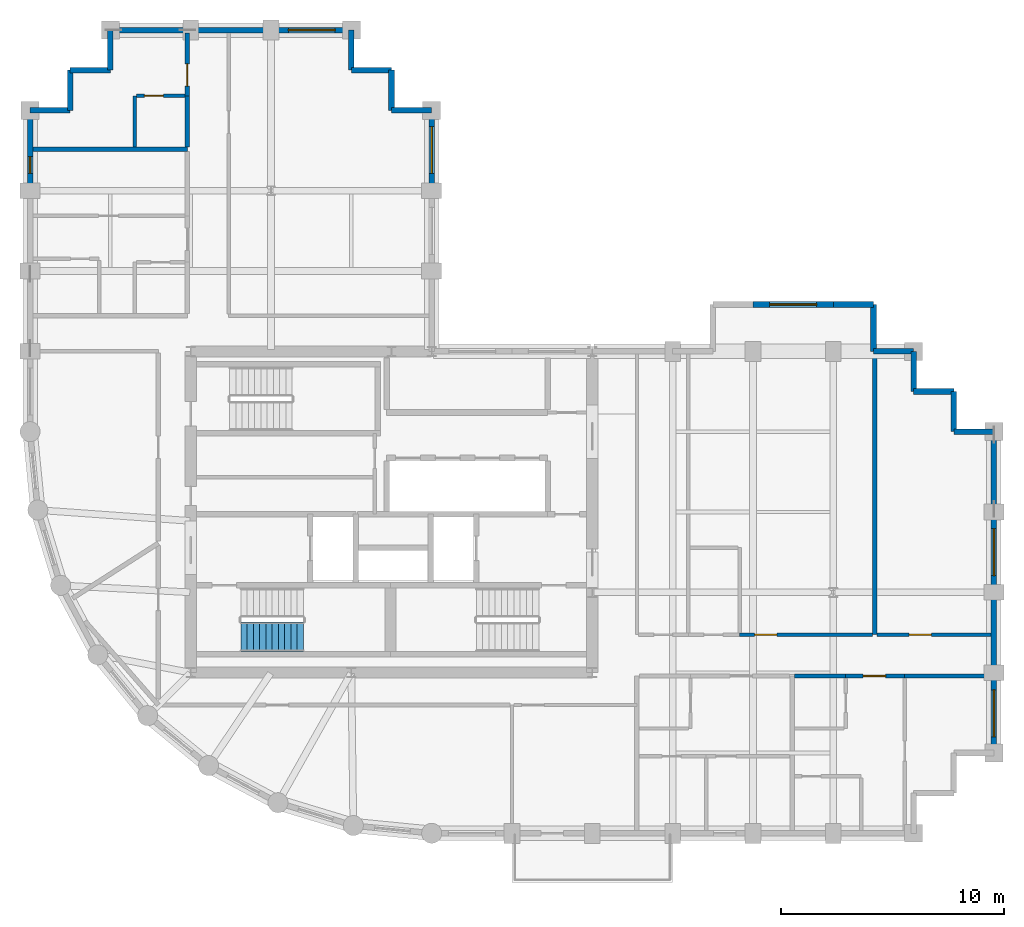
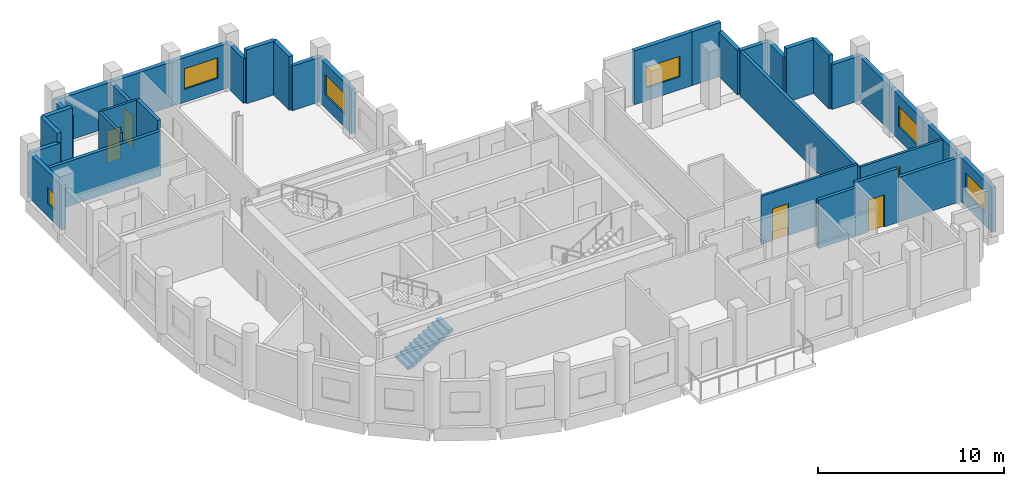
# One storey, part 6 of 8: 36 walls, 6 windows, 5 doors, 1 stair flight, 11 openings, 1 element without a shape of its own.
"""IFC4 building model written with IfcOpenShell, lengths in metres."""

from ifc_helpers import new_model, si_unit, direction, frame, frame_2d, origin, place, context, subcontext, project, spatial, polyline, rectangle, outline, extrude, material, layer, layer_set, type_object, element, fill, aggregate, save


model = new_model("IFC4")

# Units and contexts
model_context = context("Model", 3, precision=1e-05, world=origin(), true_north=direction((0.0, 1.0)))
body_context = subcontext(model_context, "Body", "Model", "MODEL_VIEW")
ifc_project = project(units=[si_unit("LENGTHUNIT", "METRE"), si_unit("AREAUNIT", "SQUARE_METRE"), si_unit("VOLUMEUNIT", "CUBIC_METRE"), si_unit("PLANEANGLEUNIT", "RADIAN"), si_unit("MASSUNIT", "GRAM", prefix="KILO")], contexts=[model_context])

# Site, building, storey
site_placement = place(None, origin())
site = spatial("IfcSite", under=ifc_project, at=site_placement, CompositionType="ELEMENT")
building_placement = place(site_placement, origin())
building = spatial("IfcBuilding", under=site, at=building_placement, Name="Solnavia Interchange Tower", CompositionType="ELEMENT")
storey_placement = place(building_placement, frame((0.0, 0.0, 178.60009765625)))
storey = spatial("IfcBuildingStorey", under=building, at=storey_placement, Name="L44", CompositionType="ELEMENT", Elevation=178.60009765625)

# Wall
ifc_material_1 = material(Name="Gypsum Acoustic Twin-Stud & Mineral Wool", Category="gypsum")
ifc_layer_1 = layer(ifc_material_1, 0.199951171875)
ifc_layer_set_1 = layer_set([ifc_layer_1], Name="Gypsum Acoustic Twin-Stud & Mineral Wool")
wall_type_1 = type_object("IfcWallType", Name="Wall-ApartmentParty-200", PredefinedType="PARTITIONING", material=ifc_layer_set_1)
wall_1_placement = place(storey_placement, frame((41.4541015625, 10.64990234375, 0.0), z_axis=(0.0, 0.0, 1.0), x_axis=(1.0, 0.0, 0.0)))
element("IfcWall", 1, at=wall_1_placement, inside=storey, type_object=wall_type_1, Name="PTW-L44-24 Interior partition wall", PredefinedType="PARTITIONING", context=body_context, shape_type="SweptSolid", body=[
    extrude(rectangle(XDim=2.2958984375, YDim=0.199951171875, at=frame_2d((1.14794921875, 0.0))), origin(), (0.0, 0.0, 1.0), 3.169921875),
])

# Wall, opening, door
wall_2_placement = place(storey_placement, frame((43.75, 10.64990234375, 0.0), z_axis=(0.0, 0.0, 1.0), x_axis=(1.0, 0.0, 0.0)))
wall_2 = element("IfcWall", 2, at=wall_2_placement, inside=storey, type_object=wall_type_1, Name="PTW-L44-27 Interior partition wall", PredefinedType="PARTITIONING", context=body_context, shape_type="SweptSolid", body=[
    extrude(rectangle(XDim=2.64990234375, YDim=0.199951171875, at=frame_2d((1.324951171875, 0.0))), origin(), (0.0, 0.0, 1.0), 3.534912109375),
])
opening_1_placement = place(wall_2_placement, frame((0.7890625, 0.0, 0.0)))
opening_1 = element("IfcOpeningElement", 3, at=opening_1_placement, cuts=wall_2, Name="Opening DR-06", PredefinedType="OPENING", context=body_context, shape_type="SweptSolid", body=[
    extrude(rectangle(XDim=1.0, YDim=2.10009765625, at=frame_2d((0.5, 1.050048828125))), frame((0.0, 0.10986328125, 0.0), z_axis=(0.0, -1.0, 0.0), x_axis=(1.0, 0.0, 0.0)), (0.0, 0.0, 1.0), 0.219970703125),
])
ifc_material_2 = material(Name="Engineered Timber Acoustic Fire Door", Category="wood")
door_type_1 = type_object("IfcDoorType", Name="Door-FlatEntry-1000x2100", OperationType="SINGLE_SWING_LEFT", PredefinedType="DOOR", material=ifc_material_2)
door_1_placement = place(opening_1_placement, origin())
door_1 = element("IfcDoor", 4, at=door_1_placement, inside=storey, type_object=door_type_1, Name="DR-L44-12 Interior room door", OperationType="SINGLE_SWING_LEFT", OverallHeight=2.10009765625, OverallWidth=1.0, PredefinedType="DOOR", context=body_context, shape_type="SweptSolid", body=[
    extrude(rectangle(XDim=1.0, YDim=2.10009765625, at=frame_2d((0.5, 1.050048828125))), frame((0.0, 0.02490234375, 0.0), z_axis=(0.0, -1.0, 0.0), x_axis=(1.0, 0.0, 0.0)), (0.0, 0.0, 1.0), 0.050048828125),
])
fill(opening_1, door_1)

# Walls
wall_3_placement = place(storey_placement, frame((46.39990234375, 10.64990234375, 0.0), z_axis=(0.0, 0.0, 1.0), x_axis=(1.0, 0.0, 0.0)))
element("IfcWall", 5, at=wall_3_placement, inside=storey, type_object=wall_type_1, Name="PTW-L44-28 Interior partition wall", PredefinedType="PARTITIONING", context=body_context, shape_type="SweptSolid", body=[
    extrude(rectangle(XDim=3.87109375, YDim=0.199951171875, at=frame_2d((1.935546875, 0.0))), origin(), (0.0, 0.0, 1.0), 2.929931640625),
])
wall_4_placement = place(storey_placement, frame((45.050048828125, 12.5, 0.0), z_axis=(0.0, 0.0, 1.0), x_axis=(0.0, 1.0, 0.0)))
element("IfcWall", 6, at=wall_4_placement, inside=storey, type_object=wall_type_1, Name="PTW-L44-32 Interior partition wall", PredefinedType="PARTITIONING", context=body_context, shape_type="SweptSolid", body=[
    extrude(rectangle(XDim=12.571044921875, YDim=0.199951171875, at=frame_2d((6.28564453125, 0.0))), origin(), (0.0, 0.0, 1.0), 2.929931640625),
])
wall_5_placement = place(storey_placement, frame((7.3291015625, 34.25, 0.0), z_axis=(0.0, 0.0, 1.0), x_axis=(1.0, 0.0, 0.0)))
element("IfcWall", 7, at=wall_5_placement, inside=storey, type_object=wall_type_1, Name="PTW-L44-36 Interior partition wall", PredefinedType="PARTITIONING", context=body_context, shape_type="SweptSolid", body=[
    extrude(rectangle(XDim=6.9208984375, YDim=0.199951171875, at=frame_2d((3.46044921875, 0.0))), origin(), (0.0, 0.0, 1.0), 2.929931640625),
])
wall_6_placement = place(storey_placement, frame((14.25, 34.35400390625, 0.0), z_axis=(0.0, 0.0, 1.0), x_axis=(0.0, 1.0, 0.0)))
element("IfcWall", 8, at=wall_6_placement, inside=storey, type_object=wall_type_1, Name="PTW-L44-45 Interior partition wall", PredefinedType="PARTITIONING", context=body_context, shape_type="SweptSolid", body=[
    extrude(rectangle(XDim=2.2958984375, YDim=0.199951171875, at=frame_2d((1.14794921875, 0.0))), origin(), (0.0, 0.0, 1.0), 3.534912109375),
])

# Wall, opening, door
wall_7_placement = place(storey_placement, frame((14.25, 36.64990234375, 0.0), z_axis=(0.0, 0.0, 1.0), x_axis=(0.0, 1.0, 0.0)))
wall_7 = element("IfcWall", 9, at=wall_7_placement, inside=storey, type_object=wall_type_1, Name="PTW-L44-48 Interior partition wall", PredefinedType="PARTITIONING", context=body_context, shape_type="SweptSolid", body=[
    extrude(rectangle(XDim=2.821044921875, YDim=0.199951171875, at=frame_2d((1.41064453125, 0.0))), origin(), (0.0, 0.0, 1.0), 2.929931640625),
])
opening_2_placement = place(wall_7_placement, frame((0.43701171875, 0.0, 0.0)))
opening_2 = element("IfcOpeningElement", 10, at=opening_2_placement, cuts=wall_7, Name="Opening DR-06", PredefinedType="OPENING", context=body_context, shape_type="SweptSolid", body=[
    extrude(rectangle(XDim=1.0, YDim=2.10009765625, at=frame_2d((0.5, 1.050048828125))), frame((0.0, 0.10986328125, 0.0), z_axis=(0.0, -1.0, 0.0), x_axis=(1.0, 0.0, 0.0)), (0.0, 0.0, 1.0), 0.219970703125),
])
door_2_placement = place(opening_2_placement, origin())
door_2 = element("IfcDoor", 11, at=door_2_placement, inside=storey, type_object=door_type_1, Name="DR-L44-22 Interior room door", OperationType="SINGLE_SWING_RIGHT", OverallHeight=2.10009765625, OverallWidth=1.0, PredefinedType="DOOR", context=body_context, shape_type="SweptSolid", body=[
    extrude(rectangle(XDim=1.0, YDim=2.10009765625, at=frame_2d((0.5, 1.050048828125))), frame((0.0, 0.02490234375, 0.0), z_axis=(0.0, -1.0, 0.0), x_axis=(1.0, 0.0, 0.0)), (0.0, 0.0, 1.0), 0.050048828125),
])
fill(opening_2, door_2)

# Wall, opening, window
ifc_material_3 = material(Name="Concrete C40/50", Category="concrete")
ifc_layer_2 = layer(ifc_material_3, 0.25)
ifc_layer_set_2 = layer_set([ifc_layer_2], Name="Concrete C40/50")
wall_type_2 = type_object("IfcWallType", Name="Wall-ExtSpandrel-250", PredefinedType="STANDARD", material=ifc_layer_set_2)
wall_8_placement = place(storey_placement, frame((50.39990234375, 10.800048828125, 0.0), z_axis=(0.0, 0.0, 1.0), x_axis=(0.0, -1.0, 0.0)))
wall_8 = element("IfcWall", 12, at=wall_8_placement, inside=storey, type_object=wall_type_2, Name="EXW-L44-11 Exterior precast spandrel wall", PredefinedType="STANDARD", context=body_context, shape_type="SweptSolid", body=[
    extrude(rectangle(XDim=3.60009765625, YDim=0.25, at=frame_2d((1.800048828125, 0.0))), origin(), (0.0, 0.0, 1.0), 2.929931640625),
])
opening_3_placement = place(wall_8_placement, frame((0.77490234375, 0.0, 0.85009765625)))
opening_3 = element("IfcOpeningElement", 13, at=opening_3_placement, cuts=wall_8, Name="Opening WIN-01", PredefinedType="OPENING", context=body_context, shape_type="SweptSolid", body=[
    extrude(rectangle(XDim=2.10009765625, YDim=1.35009765625, at=frame_2d((1.050048828125, 0.675048828125))), frame((0.0, 0.135009765625, 0.0), z_axis=(0.0, -1.0, 0.0), x_axis=(1.0, 0.0, 0.0)), (0.0, 0.0, 1.0), 0.27001953125),
])
ifc_material_4 = material(Name="Thermal-Break Aluminium & Low-E Glass", Category="aluminium")
window_type_1 = type_object("IfcWindowType", Name="Window-Ribbon-2100x1350", PartitioningType="SINGLE_PANEL", PredefinedType="WINDOW", material=ifc_material_4)
window_1_placement = place(opening_3_placement, origin())
window_1 = element("IfcWindow", 14, at=window_1_placement, inside=storey, type_object=window_type_1, Name="WIN-L44-11 Facade ribbon window", OverallHeight=1.35009765625, OverallWidth=2.10009765625, PartitioningType="SINGLE_PANEL", PredefinedType="WINDOW", context=body_context, shape_type="SweptSolid", body=[
    extrude(rectangle(XDim=2.10009765625, YDim=1.35009765625, at=frame_2d((1.050048828125, 0.675048828125))), frame((0.0, 0.030029296875, 0.0), z_axis=(0.0, -1.0, 0.0), x_axis=(1.0, 0.0, 0.0)), (0.0, 0.0, 1.0), 0.06005859375),
])
fill(opening_3, window_1)

# Wall
wall_9_placement = place(storey_placement, frame((50.39990234375, 14.39990234375, 0.0), z_axis=(0.0, 0.0, 1.0), x_axis=(0.0, -1.0, 0.0)))
element("IfcWall", 15, at=wall_9_placement, inside=storey, type_object=wall_type_2, Name="EXW-L44-12 Exterior precast spandrel wall", PredefinedType="STANDARD", context=body_context, shape_type="SweptSolid", body=[
    extrude(rectangle(XDim=3.599853515625, YDim=0.25, at=frame_2d((1.7998046875, 0.0))), origin(), (0.0, 0.0, 1.0), 2.929931640625),
])

# Wall, opening, window
wall_10_placement = place(storey_placement, frame((50.39990234375, 18.0, 0.0), z_axis=(0.0, 0.0, 1.0), x_axis=(0.0, -1.0, 0.0)))
wall_10 = element("IfcWall", 16, at=wall_10_placement, inside=storey, type_object=wall_type_2, Name="EXW-L44-13 Exterior precast spandrel wall", PredefinedType="STANDARD", context=body_context, shape_type="SweptSolid", body=[
    extrude(rectangle(XDim=3.60009765625, YDim=0.25, at=frame_2d((1.800048828125, 0.0))), origin(), (0.0, 0.0, 1.0), 2.929931640625),
])
opening_4_placement = place(wall_10_placement, frame((0.75, 0.0, 0.85009765625)))
opening_4 = element("IfcOpeningElement", 17, at=opening_4_placement, cuts=wall_10, Name="Opening WIN-01", PredefinedType="OPENING", context=body_context, shape_type="SweptSolid", body=[
    extrude(rectangle(XDim=2.10009765625, YDim=1.35009765625, at=frame_2d((1.050048828125, 0.675048828125))), frame((0.0, 0.135009765625, 0.0), z_axis=(0.0, -1.0, 0.0), x_axis=(1.0, 0.0, 0.0)), (0.0, 0.0, 1.0), 0.27001953125),
])
window_2_placement = place(opening_4_placement, origin())
window_2 = element("IfcWindow", 18, at=window_2_placement, inside=storey, type_object=window_type_1, Name="WIN-L44-13 Facade ribbon window", OverallHeight=1.35009765625, OverallWidth=2.10009765625, PartitioningType="SINGLE_PANEL", PredefinedType="WINDOW", context=body_context, shape_type="SweptSolid", body=[
    extrude(rectangle(XDim=2.10009765625, YDim=1.35009765625, at=frame_2d((1.050048828125, 0.675048828125))), frame((0.0, 0.030029296875, 0.0), z_axis=(0.0, -1.0, 0.0), x_axis=(1.0, 0.0, 0.0)), (0.0, 0.0, 1.0), 0.06005859375),
])
fill(opening_4, window_2)

# Walls
wall_11_placement = place(storey_placement, frame((50.39990234375, 21.60009765625, 0.0), z_axis=(0.0, 0.0, 1.0), x_axis=(0.0, -1.0, 0.0)))
element("IfcWall", 19, at=wall_11_placement, inside=storey, type_object=wall_type_2, Name="EXW-L44-14 Exterior precast spandrel wall", PredefinedType="STANDARD", context=body_context, shape_type="SweptSolid", body=[
    extrude(rectangle(XDim=3.60009765625, YDim=0.25, at=frame_2d((1.800048828125, 0.0))), origin(), (0.0, 0.0, 1.0), 2.929931640625),
])
wall_12_placement = place(storey_placement, frame((48.60009765625, 21.60009765625, 0.0), z_axis=(0.0, 0.0, 1.0), x_axis=(1.0, 0.0, 0.0)))
element("IfcWall", 20, at=wall_12_placement, inside=storey, type_object=wall_type_2, Name="EXW-L44-15 Exterior precast spandrel wall", PredefinedType="STANDARD", context=body_context, shape_type="SweptSolid", body=[
    extrude(rectangle(XDim=1.7998046875, YDim=0.25, at=frame_2d((0.89990234375, 0.0))), origin(), (0.0, 0.0, 1.0), 2.929931640625),
])
wall_13_placement = place(storey_placement, frame((48.60009765625, 23.39990234375, 0.0), z_axis=(0.0, 0.0, 1.0), x_axis=(0.0, -1.0, 0.0)))
element("IfcWall", 21, at=wall_13_placement, inside=storey, type_object=wall_type_2, Name="EXW-L44-16 Exterior precast spandrel wall", PredefinedType="STANDARD", context=body_context, shape_type="SweptSolid", body=[
    extrude(rectangle(XDim=1.7998046875, YDim=0.25, at=frame_2d((0.89990234375, 0.0))), origin(), (0.0, 0.0, 1.0), 3.534912109375),
])
wall_14_placement = place(storey_placement, frame((46.800048828125, 23.39990234375, 0.0), z_axis=(0.0, 0.0, 1.0), x_axis=(1.0, 0.0, 0.0)))
element("IfcWall", 22, at=wall_14_placement, inside=storey, type_object=wall_type_2, Name="EXW-L44-17 Exterior precast spandrel wall", PredefinedType="STANDARD", context=body_context, shape_type="SweptSolid", body=[
    extrude(rectangle(XDim=1.800048828125, YDim=0.25, at=frame_2d((0.89990234375, 0.0))), origin(), (0.0, 0.0, 1.0), 3.534912109375),
])
for number, where, z_axis, x_axis, name in (
    (23, (46.800048828125, 25.199951171875, 0.0), (0.0, 0.0, 1.0), (0.0, -1.0, 0.0), "EXW-L44-18 Exterior precast spandrel wall"),
    (24, (45.0, 25.199951171875, 0.0), (0.0, 0.0, 1.0), (1.0, 0.0, 0.0), "EXW-L44-19 Exterior precast spandrel wall"),
):
    element("IfcWall", number, at=place(storey_placement, frame(where, z_axis=z_axis, x_axis=x_axis)), inside=storey, type_object=wall_type_2, Name=name, PredefinedType="STANDARD", context=body_context, shape_type="SweptSolid", body=[
        extrude(rectangle(XDim=1.800048828125, YDim=0.25, at=frame_2d((0.89990234375, 0.0))), origin(), (0.0, 0.0, 1.0), 2.929931640625),
    ])
wall_15_placement = place(storey_placement, frame((45.0, 27.300048828125, 0.0), z_axis=(0.0, 0.0, 1.0), x_axis=(0.0, -1.0, 0.0)))
element("IfcWall", 25, at=wall_15_placement, inside=storey, type_object=wall_type_2, Name="EXW-L44-20 Exterior precast spandrel wall", PredefinedType="STANDARD", context=body_context, shape_type="SweptSolid", body=[
    extrude(rectangle(XDim=2.10009765625, YDim=0.25, at=frame_2d((1.050048828125, 0.0))), origin(), (0.0, 0.0, 1.0), 2.929931640625),
])
wall_16_placement = place(storey_placement, frame((43.199951171875, 27.300048828125, 0.0), z_axis=(0.0, 0.0, 1.0), x_axis=(1.0, 0.0, 0.0)))
element("IfcWall", 26, at=wall_16_placement, inside=storey, type_object=wall_type_2, Name="EXW-L44-21 Exterior precast spandrel wall", PredefinedType="STANDARD", context=body_context, shape_type="SweptSolid", body=[
    extrude(rectangle(XDim=1.800048828125, YDim=0.25, at=frame_2d((0.89990234375, 0.0))), origin(), (0.0, 0.0, 1.0), 3.534912109375),
])

# Wall, opening, window
wall_17_placement = place(storey_placement, frame((39.60009765625, 27.300048828125, 0.0), z_axis=(0.0, 0.0, 1.0), x_axis=(1.0, 0.0, 0.0)))
wall_17 = element("IfcWall", 27, at=wall_17_placement, inside=storey, type_object=wall_type_2, Name="EXW-L44-22 Exterior precast spandrel wall", PredefinedType="STANDARD", context=body_context, shape_type="SweptSolid", body=[
    extrude(rectangle(XDim=3.599853515625, YDim=0.25, at=frame_2d((1.7998046875, 0.0))), origin(), (0.0, 0.0, 1.0), 3.534912109375),
])
opening_5_placement = place(wall_17_placement, frame((0.75, 0.0, 0.85009765625)))
opening_5 = element("IfcOpeningElement", 28, at=opening_5_placement, cuts=wall_17, Name="Opening WIN-01", PredefinedType="OPENING", context=body_context, shape_type="SweptSolid", body=[
    extrude(rectangle(XDim=2.10009765625, YDim=1.35009765625, at=frame_2d((1.050048828125, 0.675048828125))), frame((0.0, 0.135009765625, 0.0), z_axis=(0.0, -1.0, 0.0), x_axis=(1.0, 0.0, 0.0)), (0.0, 0.0, 1.0), 0.27001953125),
])
window_3_placement = place(opening_5_placement, origin())
window_3 = element("IfcWindow", 29, at=window_3_placement, inside=storey, type_object=window_type_1, Name="WIN-L44-22 Facade ribbon window", OverallHeight=1.35009765625, OverallWidth=2.10009765625, PartitioningType="SINGLE_PANEL", PredefinedType="WINDOW", context=body_context, shape_type="SweptSolid", body=[
    extrude(rectangle(XDim=2.10009765625, YDim=1.35009765625, at=frame_2d((1.050048828125, 0.675048828125))), frame((0.0, 0.030029296875, 0.0), z_axis=(0.0, -1.0, 0.0), x_axis=(1.0, 0.0, 0.0)), (0.0, 0.0, 1.0), 0.06005859375),
])
fill(opening_5, window_3)

wall_18_placement = place(storey_placement, frame((25.199951171875, 32.39990234375, 0.0), z_axis=(0.0, 0.0, 1.0), x_axis=(0.0, 1.0, 0.0)))
wall_18 = element("IfcWall", 30, at=wall_18_placement, inside=storey, type_object=wall_type_2, Name="EXW-L44-31 Exterior precast spandrel wall", PredefinedType="STANDARD", context=body_context, shape_type="SweptSolid", body=[
    extrude(rectangle(XDim=3.60009765625, YDim=0.25, at=frame_2d((1.800048828125, 0.0))), origin(), (0.0, 0.0, 1.0), 2.929931640625),
])
opening_6_placement = place(wall_18_placement, frame((0.77490234375, 0.0, 0.85009765625)))
opening_6 = element("IfcOpeningElement", 31, at=opening_6_placement, cuts=wall_18, Name="Opening WIN-01", PredefinedType="OPENING", context=body_context, shape_type="SweptSolid", body=[
    extrude(rectangle(XDim=2.10009765625, YDim=1.35009765625, at=frame_2d((1.050048828125, 0.675048828125))), frame((0.0, 0.135009765625, 0.0), z_axis=(0.0, -1.0, 0.0), x_axis=(1.0, 0.0, 0.0)), (0.0, 0.0, 1.0), 0.27001953125),
])
window_4_placement = place(opening_6_placement, origin())
window_4 = element("IfcWindow", 32, at=window_4_placement, inside=storey, type_object=window_type_1, Name="WIN-L44-31 Facade ribbon window", OverallHeight=1.35009765625, OverallWidth=2.10009765625, PartitioningType="SINGLE_PANEL", PredefinedType="WINDOW", context=body_context, shape_type="SweptSolid", body=[
    extrude(rectangle(XDim=2.10009765625, YDim=1.35009765625, at=frame_2d((1.050048828125, 0.675048828125))), frame((0.0, 0.030029296875, 0.0), z_axis=(0.0, -1.0, 0.0), x_axis=(1.0, 0.0, 0.0)), (0.0, 0.0, 1.0), 0.06005859375),
])
fill(opening_6, window_4)

# Walls
wall_19_placement = place(storey_placement, frame((23.39990234375, 36.0, 0.0), z_axis=(0.0, 0.0, 1.0), x_axis=(1.0, 0.0, 0.0)))
element("IfcWall", 33, at=wall_19_placement, inside=storey, type_object=wall_type_2, Name="EXW-L44-32 Exterior precast spandrel wall", PredefinedType="STANDARD", context=body_context, shape_type="SweptSolid", body=[
    extrude(rectangle(XDim=1.800048828125, YDim=0.25, at=frame_2d((0.89990234375, 0.0))), origin(), (0.0, 0.0, 1.0), 2.929931640625),
])
wall_20_placement = place(storey_placement, frame((23.39990234375, 36.0, 0.0), z_axis=(0.0, 0.0, 1.0), x_axis=(0.0, 1.0, 0.0)))
element("IfcWall", 34, at=wall_20_placement, inside=storey, type_object=wall_type_2, Name="EXW-L44-33 Exterior precast spandrel wall", PredefinedType="STANDARD", context=body_context, shape_type="SweptSolid", body=[
    extrude(rectangle(XDim=1.800048828125, YDim=0.25, at=frame_2d((0.89990234375, 0.0))), origin(), (0.0, 0.0, 1.0), 3.534912109375),
])
wall_21_placement = place(storey_placement, frame((21.60009765625, 37.800048828125, 0.0), z_axis=(0.0, 0.0, 1.0), x_axis=(1.0, 0.0, 0.0)))
element("IfcWall", 35, at=wall_21_placement, inside=storey, type_object=wall_type_2, Name="EXW-L44-34 Exterior precast spandrel wall", PredefinedType="STANDARD", context=body_context, shape_type="SweptSolid", body=[
    extrude(rectangle(XDim=1.7998046875, YDim=0.25, at=frame_2d((0.89990234375, 0.0))), origin(), (0.0, 0.0, 1.0), 3.534912109375),
])
wall_22_placement = place(storey_placement, frame((21.60009765625, 37.800048828125, 0.0), z_axis=(0.0, 0.0, 1.0), x_axis=(0.0, 1.0, 0.0)))
element("IfcWall", 36, at=wall_22_placement, inside=storey, type_object=wall_type_2, Name="EXW-L44-35 Exterior precast spandrel wall", PredefinedType="STANDARD", context=body_context, shape_type="SweptSolid", body=[
    extrude(rectangle(XDim=1.800048828125, YDim=0.25, at=frame_2d((0.89990234375, 0.0))), origin(), (0.0, 0.0, 1.0), 2.929931640625),
])

# Wall, opening, window
wall_23_placement = place(storey_placement, frame((18.0, 39.60009765625, 0.0), z_axis=(0.0, 0.0, 1.0), x_axis=(1.0, 0.0, 0.0)))
wall_23 = element("IfcWall", 37, at=wall_23_placement, inside=storey, type_object=wall_type_2, Name="EXW-L44-36 Exterior precast spandrel wall", PredefinedType="STANDARD", context=body_context, shape_type="SweptSolid", body=[
    extrude(rectangle(XDim=3.60009765625, YDim=0.25, at=frame_2d((1.800048828125, 0.0))), origin(), (0.0, 0.0, 1.0), 2.929931640625),
])
opening_7_placement = place(wall_23_placement, frame((0.77490234375, 0.0, 0.85009765625)))
opening_7 = element("IfcOpeningElement", 38, at=opening_7_placement, cuts=wall_23, Name="Opening WIN-01", PredefinedType="OPENING", context=body_context, shape_type="SweptSolid", body=[
    extrude(rectangle(XDim=2.10009765625, YDim=1.35009765625, at=frame_2d((1.050048828125, 0.675048828125))), frame((0.0, 0.135009765625, 0.0), z_axis=(0.0, -1.0, 0.0), x_axis=(1.0, 0.0, 0.0)), (0.0, 0.0, 1.0), 0.27001953125),
])
window_5_placement = place(opening_7_placement, origin())
window_5 = element("IfcWindow", 39, at=window_5_placement, inside=storey, type_object=window_type_1, Name="WIN-L44-36 Facade ribbon window", OverallHeight=1.35009765625, OverallWidth=2.10009765625, PartitioningType="SINGLE_PANEL", PredefinedType="WINDOW", context=body_context, shape_type="SweptSolid", body=[
    extrude(rectangle(XDim=2.10009765625, YDim=1.35009765625, at=frame_2d((1.050048828125, 0.675048828125))), frame((0.0, 0.030029296875, 0.0), z_axis=(0.0, -1.0, 0.0), x_axis=(1.0, 0.0, 0.0)), (0.0, 0.0, 1.0), 0.06005859375),
])
fill(opening_7, window_5)

# Walls
wall_24_placement = place(storey_placement, frame((14.39990234375, 39.60009765625, 0.0), z_axis=(0.0, 0.0, 1.0), x_axis=(1.0, 0.0, 0.0)))
element("IfcWall", 40, at=wall_24_placement, inside=storey, type_object=wall_type_2, Name="EXW-L44-37 Exterior precast spandrel wall", PredefinedType="STANDARD", context=body_context, shape_type="SweptSolid", body=[
    extrude(rectangle(XDim=3.60009765625, YDim=0.25, at=frame_2d((1.800048828125, 0.0))), origin(), (0.0, 0.0, 1.0), 2.929931640625),
])
wall_25_placement = place(storey_placement, frame((10.800048828125, 39.60009765625, 0.0), z_axis=(0.0, 0.0, 1.0), x_axis=(1.0, 0.0, 0.0)))
element("IfcWall", 41, at=wall_25_placement, inside=storey, type_object=wall_type_2, Name="EXW-L44-38 Exterior precast spandrel wall", PredefinedType="STANDARD", context=body_context, shape_type="SweptSolid", body=[
    extrude(rectangle(XDim=3.599853515625, YDim=0.25, at=frame_2d((1.7998046875, 0.0))), origin(), (0.0, 0.0, 1.0), 2.929931640625),
])
wall_26_placement = place(storey_placement, frame((10.800048828125, 37.800048828125, 0.0), z_axis=(0.0, 0.0, 1.0), x_axis=(0.0, 1.0, 0.0)))
element("IfcWall", 42, at=wall_26_placement, inside=storey, type_object=wall_type_2, Name="EXW-L44-39 Exterior precast spandrel wall", PredefinedType="STANDARD", context=body_context, shape_type="SweptSolid", body=[
    extrude(rectangle(XDim=1.800048828125, YDim=0.25, at=frame_2d((0.89990234375, 0.0))), origin(), (0.0, 0.0, 1.0), 2.929931640625),
])
for number, where, z_axis, x_axis, name in (
    (43, (9.0, 37.800048828125, 0.0), (0.0, 0.0, 1.0), (1.0, 0.0, 0.0), "EXW-L44-40 Exterior precast spandrel wall"),
    (44, (9.0, 36.0, 0.0), (0.0, 0.0, 1.0), (0.0, 1.0, 0.0), "EXW-L44-41 Exterior precast spandrel wall"),
):
    element("IfcWall", number, at=place(storey_placement, frame(where, z_axis=z_axis, x_axis=x_axis)), inside=storey, type_object=wall_type_2, Name=name, PredefinedType="STANDARD", context=body_context, shape_type="SweptSolid", body=[
        extrude(rectangle(XDim=1.800048828125, YDim=0.25, at=frame_2d((0.89990234375, 0.0))), origin(), (0.0, 0.0, 1.0), 3.534912109375),
    ])
wall_27_placement = place(storey_placement, frame((7.199951171875, 36.0, 0.0), z_axis=(0.0, 0.0, 1.0), x_axis=(1.0, 0.0, 0.0)))
element("IfcWall", 45, at=wall_27_placement, inside=storey, type_object=wall_type_2, Name="EXW-L44-42 Exterior precast spandrel wall", PredefinedType="STANDARD", context=body_context, shape_type="SweptSolid", body=[
    extrude(rectangle(XDim=1.800048828125, YDim=0.25, at=frame_2d((0.89990234375, 0.0))), origin(), (0.0, 0.0, 1.0), 2.929931640625),
])

# Wall, opening, window
wall_28_placement = place(storey_placement, frame((7.199951171875, 32.39990234375, 0.0), z_axis=(0.0, 0.0, 1.0), x_axis=(0.0, 1.0, 0.0)))
wall_28 = element("IfcWall", 46, at=wall_28_placement, inside=storey, type_object=wall_type_2, Name="EXW-L44-43 Exterior precast spandrel wall", PredefinedType="STANDARD", context=body_context, shape_type="SweptSolid", body=[
    extrude(rectangle(XDim=3.60009765625, YDim=0.25, at=frame_2d((1.800048828125, 0.0))), origin(), (0.0, 0.0, 1.0), 2.929931640625),
])
opening_8_placement = place(wall_28_placement, frame((0.77294921875, 0.0, 0.85009765625)))
opening_8 = element("IfcOpeningElement", 47, at=opening_8_placement, cuts=wall_28, Name="Opening WIN-08", PredefinedType="OPENING", context=body_context, shape_type="SweptSolid", body=[
    extrude(rectangle(XDim=0.75, YDim=1.050048828125, at=frame_2d((0.375, 0.52490234375))), frame((0.0, 0.135009765625, 0.0), z_axis=(0.0, -1.0, 0.0), x_axis=(1.0, 0.0, 0.0)), (0.0, 0.0, 1.0), 0.27001953125),
])
window_type_2 = type_object("IfcWindowType", Name="Window-Bedroom-750x1050", PartitioningType="SINGLE_PANEL", PredefinedType="WINDOW", material=ifc_material_4)
window_6_placement = place(opening_8_placement, origin())
window_6 = element("IfcWindow", 48, at=window_6_placement, inside=storey, type_object=window_type_2, Name="WIN-L44-DW02 Dwelling bedroom window", OverallHeight=1.050048828125, OverallWidth=0.75, PartitioningType="SINGLE_PANEL", PredefinedType="WINDOW", context=body_context, shape_type="SweptSolid", body=[
    extrude(rectangle(XDim=0.75, YDim=1.050048828125, at=frame_2d((0.375, 0.52490234375))), frame((0.0, 0.030029296875, 0.0), z_axis=(0.0, -1.0, 0.0), x_axis=(1.0, 0.0, 0.0)), (0.0, 0.0, 1.0), 0.06005859375),
])
fill(opening_8, window_6)

# Wall, opening, door
ifc_material_5 = material(Name="Gypsum Plasterboard & Steel Stud", Category="steel")
ifc_layer_3 = layer(ifc_material_5, 0.14990234375)
ifc_layer_set_3 = layer_set([ifc_layer_3], Name="Gypsum Plasterboard & Steel Stud")
wall_type_3 = type_object("IfcWallType", Name="Wall-Partition-150", PredefinedType="PARTITIONING", material=ifc_layer_set_3)
wall_29_placement = place(storey_placement, frame((39.0, 12.5, 0.0), z_axis=(0.0, 0.0, 1.0), x_axis=(1.0, 0.0, 0.0)))
wall_29 = element("IfcWall", 49, at=wall_29_placement, inside=storey, type_object=wall_type_3, Name="PTW-L44-33 Interior partition wall", PredefinedType="PARTITIONING", context=body_context, shape_type="SweptSolid", body=[
    extrude(rectangle(XDim=5.946044921875, YDim=0.14990234375, at=frame_2d((2.97314453125, 0.0))), origin(), (0.0, 0.0, 1.0), 3.169921875),
])
opening_9_placement = place(wall_29_placement, frame((0.675048828125, 0.0, 0.0)))
opening_9 = element("IfcOpeningElement", 50, at=opening_9_placement, cuts=wall_29, Name="Opening DR-07", PredefinedType="OPENING", context=body_context, shape_type="SweptSolid", body=[
    extrude(rectangle(XDim=1.0, YDim=2.10009765625, at=frame_2d((0.5, 1.050048828125))), frame((0.0, 0.0849609375, 0.0), z_axis=(0.0, -1.0, 0.0), x_axis=(1.0, 0.0, 0.0)), (0.0, 0.0, 1.0), 0.169921875),
])
ifc_material_6 = material(Name="Timber & Acoustic Glazed Office Door", Category="wood")
door_type_2 = type_object("IfcDoorType", Name="Door-Office-1000x2100", OperationType="SINGLE_SWING_RIGHT", PredefinedType="DOOR", material=ifc_material_6)
door_3_placement = place(opening_9_placement, origin())
door_3 = element("IfcDoor", 51, at=door_3_placement, inside=storey, type_object=door_type_2, Name="DR-L44-15 Interior room door", OperationType="SINGLE_SWING_RIGHT", OverallHeight=2.10009765625, OverallWidth=1.0, PredefinedType="DOOR", context=body_context, shape_type="SweptSolid", body=[
    extrude(rectangle(XDim=1.0, YDim=2.10009765625, at=frame_2d((0.5, 1.050048828125))), frame((0.0, 0.02490234375, 0.0), z_axis=(0.0, -1.0, 0.0), x_axis=(1.0, 0.0, 0.0)), (0.0, 0.0, 1.0), 0.050048828125),
])
fill(opening_9, door_3)

wall_30_placement = place(storey_placement, frame((45.154052734375, 12.5, 0.0), z_axis=(0.0, 0.0, 1.0), x_axis=(1.0, 0.0, 0.0)))
wall_30 = element("IfcWall", 52, at=wall_30_placement, inside=storey, type_object=wall_type_3, Name="PTW-L44-34 Interior partition wall", PredefinedType="PARTITIONING", context=body_context, shape_type="SweptSolid", body=[
    extrude(rectangle(XDim=5.116943359375, YDim=0.14990234375, at=frame_2d((2.55859375, 0.0))), origin(), (0.0, 0.0, 1.0), 2.929931640625),
])
opening_10_placement = place(wall_30_placement, frame((1.43994140625, 0.0, 0.0)))
opening_10 = element("IfcOpeningElement", 53, at=opening_10_placement, cuts=wall_30, Name="Opening DR-07", PredefinedType="OPENING", context=body_context, shape_type="SweptSolid", body=[
    extrude(rectangle(XDim=1.0, YDim=2.10009765625, at=frame_2d((0.5, 1.050048828125))), frame((0.0, 0.0849609375, 0.0), z_axis=(0.0, -1.0, 0.0), x_axis=(1.0, 0.0, 0.0)), (0.0, 0.0, 1.0), 0.169921875),
])
door_4_placement = place(opening_10_placement, origin())
door_4 = element("IfcDoor", 54, at=door_4_placement, inside=storey, type_object=door_type_2, Name="DR-L44-16 Interior room door", OperationType="SINGLE_SWING_RIGHT", OverallHeight=2.10009765625, OverallWidth=1.0, PredefinedType="DOOR", context=body_context, shape_type="SweptSolid", body=[
    extrude(rectangle(XDim=1.0, YDim=2.10009765625, at=frame_2d((0.5, 1.050048828125))), frame((0.0, 0.02490234375, 0.0), z_axis=(0.0, -1.0, 0.0), x_axis=(1.0, 0.0, 0.0)), (0.0, 0.0, 1.0), 0.050048828125),
])
fill(opening_10, door_4)

# Wall
ifc_material_7 = material(Name="Moisture-Resistant Gypsum & Steel Stud", Category="steel")
ifc_layer_4 = layer(ifc_material_7, 0.14990234375)
ifc_layer_set_4 = layer_set([ifc_layer_4], Name="Moisture-Resistant Gypsum & Steel Stud")
wall_type_4 = type_object("IfcWallType", Name="Wall-WetRoom-150", PredefinedType="PARTITIONING", material=ifc_layer_set_4)
wall_31_placement = place(storey_placement, frame((11.89990234375, 34.35400390625, 0.0), z_axis=(0.0, 0.0, 1.0), x_axis=(0.0, 1.0, 0.0)))
element("IfcWall", 55, at=wall_31_placement, inside=storey, type_object=wall_type_4, Name="PTW-L44-46 Interior partition wall", PredefinedType="PARTITIONING", context=body_context, shape_type="SweptSolid", body=[
    extrude(rectangle(XDim=2.2958984375, YDim=0.14990234375, at=frame_2d((1.14794921875, 0.0))), origin(), (0.0, 0.0, 1.0), 3.534912109375),
])

# Wall, opening, door
wall_32_placement = place(storey_placement, frame((11.97900390625, 36.64990234375, 0.0), z_axis=(0.0, 0.0, 1.0), x_axis=(1.0, 0.0, 0.0)))
wall_32 = element("IfcWall", 56, at=wall_32_placement, inside=storey, type_object=wall_type_4, Name="PTW-L44-47 Interior partition wall", PredefinedType="PARTITIONING", context=body_context, shape_type="SweptSolid", body=[
    extrude(rectangle(XDim=2.1669921875, YDim=0.14990234375, at=frame_2d((1.08349609375, 0.0))), origin(), (0.0, 0.0, 1.0), 3.534912109375),
])
opening_11_placement = place(wall_32_placement, frame((0.341064453125, 0.0, 0.0)))
opening_11 = element("IfcOpeningElement", 57, at=opening_11_placement, cuts=wall_32, Name="Opening DR-10", PredefinedType="OPENING", context=body_context, shape_type="SweptSolid", body=[
    extrude(rectangle(XDim=0.85009765625, YDim=2.10009765625, at=frame_2d((0.425048828125, 1.050048828125))), frame((0.0, 0.0849609375, 0.0), z_axis=(0.0, -1.0, 0.0), x_axis=(1.0, 0.0, 0.0)), (0.0, 0.0, 1.0), 0.169921875),
])
ifc_material_8 = material(Name="Moisture-Resistant Timber Door", Category="wood")
door_type_3 = type_object("IfcDoorType", Name="Door-Bathroom-850x2100", OperationType="SINGLE_SWING_RIGHT", PredefinedType="DOOR", material=ifc_material_8)
door_5_placement = place(opening_11_placement, origin())
door_5 = element("IfcDoor", 58, at=door_5_placement, inside=storey, type_object=door_type_3, Name="DR-L44-21 Interior room door", OperationType="SINGLE_SWING_RIGHT", OverallHeight=2.10009765625, OverallWidth=0.85009765625, PredefinedType="DOOR", context=body_context, shape_type="SweptSolid", body=[
    extrude(rectangle(XDim=0.85009765625, YDim=2.10009765625, at=frame_2d((0.425048828125, 1.050048828125))), frame((0.0, 0.02490234375, 0.0), z_axis=(0.0, -1.0, 0.0), x_axis=(1.0, 0.0, 0.0)), (0.0, 0.0, 1.0), 0.050048828125),
])
fill(opening_11, door_5)

# Stair, stair flight
stair_type = type_object("IfcStairType", Name="Stair-Dogleg-RC", PredefinedType="HALF_TURN_STAIR", material=ifc_material_3)
stair_placement = place(storey_placement, origin())
stair = element("IfcStair", 59, at=stair_placement, inside=storey, type_object=stair_type, Name="L44 Core exit stair 1", PredefinedType="HALF_TURN_STAIR")
stair_flight_type = type_object("IfcStairFlightType", Name="StairFlight-RC-150", PredefinedType="STRAIGHT", material=ifc_material_3)
stair_flight_placement = place(storey_placement, frame((16.64990234375, 12.409912109375, 0.0), z_axis=(0.0, 0.0, 1.0), x_axis=(1.0, 0.0, 0.0)))
stair_flight = element("IfcStairFlight", 60, at=stair_flight_placement, type_object=stair_flight_type, Name="ST-1 flight 1", NumberOfRisers=11, NumberOfTreads=10, PredefinedType="STRAIGHT", RiserHeight=0.172727273, TreadLength=0.28, context=body_context, shape_type="SweptSolid", body=[
    extrude(outline(polyline([(0.0, 0.0), (0.0, 0.172607421875), (0.280029296875, 0.172607421875), (0.280029296875, 0.345458984375), (0.56005859375, 0.345458984375), (0.56005859375, 0.51806640625), (0.840087890625, 0.51806640625), (0.840087890625, 0.69091796875), (1.1201171875, 0.69091796875), (1.1201171875, 0.863525390625), (1.39990234375, 0.863525390625), (1.39990234375, 1.036376953125), (1.679931640625, 1.036376953125), (1.679931640625, 1.208984375), (1.9599609375, 1.208984375), (1.9599609375, 1.3818359375), (2.239990234375, 1.3818359375), (2.239990234375, 1.554443359375), (2.52001953125, 1.554443359375), (2.52001953125, 1.727294921875), (2.800048828125, 1.727294921875), (2.800048828125, 1.89990234375), (2.800048828125, 1.551025390625), (0.285400390625, 0.0), (0.0, 0.0)])), frame((0.0, 0.66015625, 0.0), z_axis=(0.0, -1.0, 0.0), x_axis=(1.0, 0.0, 0.0)), (0.0, 0.0, 1.0), 1.320068359375),
])
aggregate(stair, [stair_flight])

save(model, "model.ifc")
